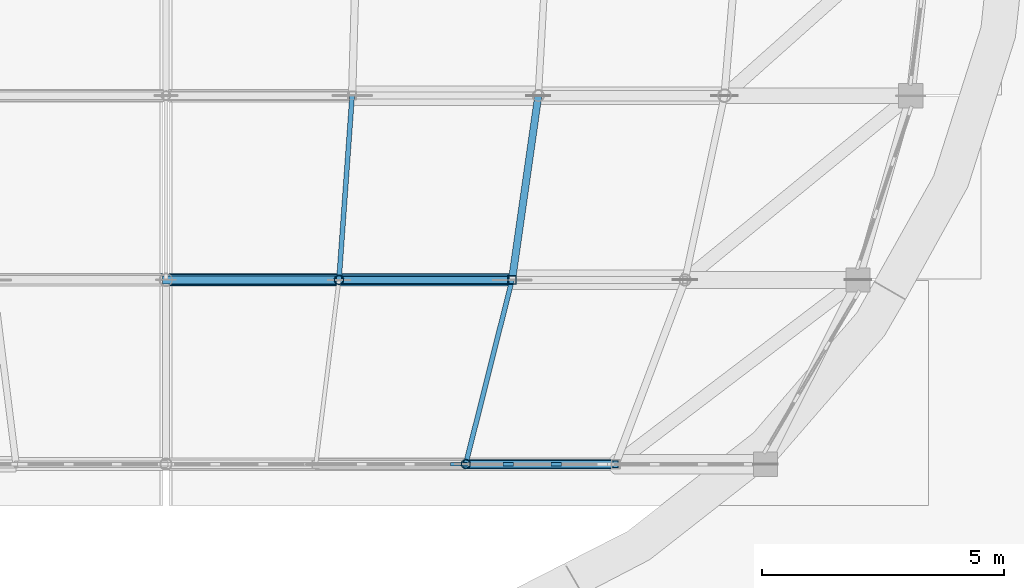
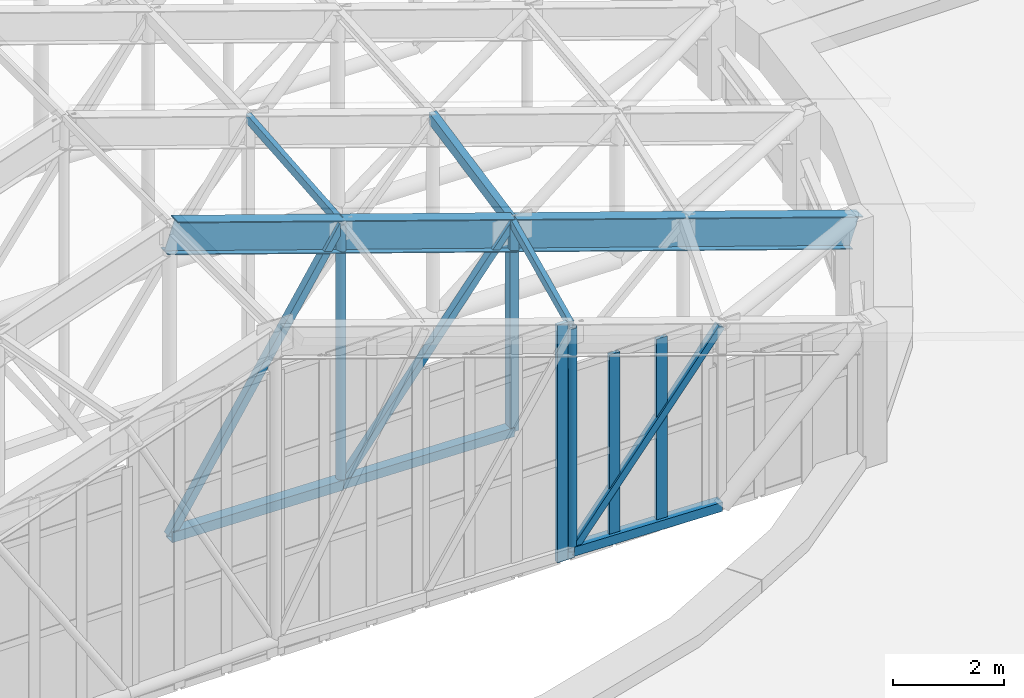
# One storey, part 12 of 105: 16 members, 1 beam, 2 elements without a shape of their own.
"""IFC4 building model written with IfcOpenShell, lengths in metres."""

from ifc_helpers import new_model, si_unit, direction, frame, origin, origin_2d, place, context, subcontext, project, spatial, rectangle, hollow_rectangle, hollow_circle, i_section, extrude, material, material_profile, profile_set, type_object, element, aggregate, save


model = new_model("IFC4")

# Units and contexts
model_context = context("Model", 3, precision=1e-05, world=origin(), true_north=direction((0.0, 1.0)))
body_context = subcontext(model_context, "Body", "Model", "MODEL_VIEW")
ifc_project = project(units=[si_unit("LENGTHUNIT", "METRE"), si_unit("AREAUNIT", "SQUARE_METRE"), si_unit("VOLUMEUNIT", "CUBIC_METRE"), si_unit("PLANEANGLEUNIT", "RADIAN"), si_unit("MASSUNIT", "GRAM", prefix="KILO")], contexts=[model_context])

# Site, building, storey
site_placement = place(None, origin())
site = spatial("IfcSite", under=ifc_project, at=site_placement, CompositionType="ELEMENT")
building_placement = place(site_placement, origin())
building = spatial("IfcBuilding", under=site, at=building_placement, Name="Corveleigh Park Community Centre", CompositionType="ELEMENT")
storey_placement = place(building_placement, frame((0.0, 0.0, 8.699951171875)))
storey = spatial("IfcBuildingStorey", under=building, at=storey_placement, Name="L02", CompositionType="ELEMENT", Elevation=8.699951171875)

# Beam
ifc_material_1 = material(Name="Steel S355", Category="steel")
ifc_material_profile_1 = material_profile(ifc_material_1, i_section(OverallWidth=0.253662109375, OverallDepth=0.68359375, WebThickness=0.012451171875, FlangeThickness=0.01904296875, at=origin_2d()), Name="UKB 686x254x140", Category="steel")
ifc_profile_set_1 = profile_set([ifc_material_profile_1], Name="Steel S355")
beam_type = type_object("IfcBeamType", Name="BM-STL-UKB686x140", PredefinedType="BEAM", material=ifc_profile_set_1)
beam_placement = place(storey_placement, frame((31.0, 19.199951171875, 6.951416015625), z_axis=(0.94629721214, 0.0, -0.323297983748), x_axis=(0.0, 1.0, 0.0)))
element("IfcBeam", 1, at=beam_placement, inside=storey, type_object=beam_type, Name="V1 Portal Rafter E2", PredefinedType="BEAM", context=body_context, shape_type="SweptSolid", body=[
    extrude(i_section(OverallWidth=0.253662109375, OverallDepth=0.68359375, WebThickness=0.012451171875, FlangeThickness=0.01904296875, at=origin_2d()), origin(), (0.0, 0.0, 1.0), 15.0849609375),
])

# Curtain wall, member
ifc_material_2 = material(Name="Anodised aluminium 6063-T6", Category="aluminium")
curtain_wall_type = type_object("IfcCurtainWallType", Name="CW-SYS-V1-DRUM", PredefinedType="NOTDEFINED", material=ifc_material_2)
curtain_wall_1_placement = place(storey_placement, origin())
curtain_wall_1 = element("IfcCurtainWall", 2, at=curtain_wall_1_placement, inside=storey, type_object=curtain_wall_type, Name="Main Hall S Gable Clerestory 6", PredefinedType="NOTDEFINED")
ifc_material_profile_2 = material_profile(ifc_material_2, rectangle(XDim=0.074951171875, YDim=0.219970703125, at=origin_2d()), Name="ALU-M75x220", Category="aluminium")
ifc_profile_set_2 = profile_set([ifc_material_profile_2], Name="Anodised aluminium 6063-T6")
member_type_1 = type_object("IfcMemberType", Name="CWM-75x220", PredefinedType="MULLION", material=ifc_profile_set_2)
member_1_placement = place(storey_placement, frame((36.9755859375, 15.39990234375, 0.0), z_axis=(0.0, 0.0, 1.0), x_axis=(0.0, 1.0, 0.0)))
member_1 = element("IfcMember", 3, at=member_1_placement, type_object=member_type_1, Name="CW02 mullion 4", PredefinedType="MULLION", context=body_context, shape_type="SweptSolid", body=[
    extrude(rectangle(XDim=0.074951171875, YDim=0.219970703125, at=origin_2d()), origin(), (0.0, 0.0, 1.0), 5.236083984375),
])
aggregate(curtain_wall_1, [member_1])

# Curtain wall, members
curtain_wall_2_placement = place(storey_placement, origin())
curtain_wall_2 = element("IfcCurtainWall", 4, at=curtain_wall_2_placement, inside=storey, type_object=curtain_wall_type, Name="Main Hall S Gable Clerestory 7", PredefinedType="NOTDEFINED")
member_2_placement = place(storey_placement, frame((37.110595703125, 15.39990234375, 0.0), z_axis=(0.0, 0.0, 1.0), x_axis=(0.0, 1.0, 0.0)))
member_2 = element("IfcMember", 5, at=member_2_placement, type_object=member_type_1, Name="CW02 mullion 1", PredefinedType="MULLION", context=body_context, shape_type="SweptSolid", body=[
    extrude(rectangle(XDim=0.074951171875, YDim=0.219970703125, at=origin_2d()), origin(), (0.0, 0.0, 1.0), 4.203125),
])
member_3_placement = place(storey_placement, frame((38.06005859375, 15.39990234375, 0.0), z_axis=(0.0, 0.0, 1.0), x_axis=(0.0, 1.0, 0.0)))
member_3 = element("IfcMember", 6, at=member_3_placement, type_object=member_type_1, Name="CW02 mullion 2", PredefinedType="MULLION", context=body_context, shape_type="SweptSolid", body=[
    extrude(rectangle(XDim=0.074951171875, YDim=0.219970703125, at=origin_2d()), origin(), (0.0, 0.0, 1.0), 4.203125),
])
member_4_placement = place(storey_placement, frame((39.047119140625, 15.39990234375, 0.0), z_axis=(0.0, 0.0, 1.0), x_axis=(0.0, 1.0, 0.0)))
member_4 = element("IfcMember", 7, at=member_4_placement, type_object=member_type_1, Name="CW02 mullion 3", PredefinedType="MULLION", context=body_context, shape_type="SweptSolid", body=[
    extrude(rectangle(XDim=0.074951171875, YDim=0.219970703125, at=origin_2d()), origin(), (0.0, 0.0, 1.0), 4.203125),
])
aggregate(curtain_wall_2, [member_2, member_3, member_4])

# Members
ifc_material_profile_3 = material_profile(ifc_material_1, hollow_rectangle(XDim=0.14990234375, YDim=0.14990234375, WallThickness=0.008056640625, at=origin_2d()), Name="SHS 150x150x8.0", Category="steel")
ifc_profile_set_3 = profile_set([ifc_material_profile_3], Name="Steel S355")
member_type_2 = type_object("IfcMemberType", Name="MEM-BRC-SHS150", PredefinedType="BRACE", material=ifc_profile_set_3)
member_5_placement = place(storey_placement, frame((40.27490234375, 15.39990234375, 4.031005859375), z_axis=(-0.625562119543, 0.0, -0.78017436166), x_axis=(0.0, -1.0, 0.0)))
element("IfcMember", 8, at=member_5_placement, inside=storey, type_object=member_type_2, Name="V1 Truss T1 Web Diagonal", PredefinedType="BRACE", context=body_context, shape_type="SweptSolid", body=[
    extrude(hollow_rectangle(XDim=0.14990234375, YDim=0.14990234375, WallThickness=0.008056640625, at=origin_2d()), origin(), (0.0, 0.0, 1.0), 4.9423828125),
])
member_6_placement = place(storey_placement, frame((38.137939453125, 19.199951171875, 4.76123046875), z_axis=(-0.621444203962, 0.0, -0.783458423506), x_axis=(0.0, -1.0, 0.0)))
element("IfcMember", 9, at=member_6_placement, inside=storey, type_object=member_type_2, Name="V1 Truss T2 Web Diagonal", PredefinedType="BRACE", context=body_context, shape_type="SweptSolid", body=[
    extrude(hollow_rectangle(XDim=0.14990234375, YDim=0.14990234375, WallThickness=0.008056640625, at=origin_2d()), origin(), (0.0, 0.0, 1.0), 5.742919921875),
])
ifc_material_profile_4 = material_profile(ifc_material_1, hollow_rectangle(XDim=0.159912109375, YDim=0.159912109375, WallThickness=0.010009765625, at=origin_2d()), Name="SHS 160x160x10.0", Category="steel")
ifc_profile_set_4 = profile_set([ifc_material_profile_4], Name="Steel S355")
member_type_3 = type_object("IfcMemberType", Name="MEM-BRC-SHS160", PredefinedType="BRACE", material=ifc_profile_set_4)
member_7_placement = place(storey_placement, frame((34.569091796875, 19.199951171875, 5.980712890625), z_axis=(-0.535377021917, 0.0, -0.844613192179), x_axis=(0.0, -1.0, 0.0)))
element("IfcMember", 10, at=member_7_placement, inside=storey, type_object=member_type_3, Name="V1 Truss T2 Web Diagonal", PredefinedType="BRACE", context=body_context, shape_type="SweptSolid", body=[
    extrude(hollow_rectangle(XDim=0.159912109375, YDim=0.159912109375, WallThickness=0.010009765625, at=origin_2d()), origin(), (0.0, 0.0, 1.0), 6.66650390625),
])
ifc_material_profile_5 = material_profile(ifc_material_1, hollow_rectangle(XDim=0.199951171875, YDim=0.199951171875, WallThickness=0.010009765625, at=origin_2d()), Name="SHS 200x200x10.0", Category="steel")
ifc_profile_set_5 = profile_set([ifc_material_profile_5], Name="Steel S355")
member_type_4 = type_object("IfcMemberType", Name="MEM-CHD-SHS200", PredefinedType="CHORD", material=ifc_profile_set_5)
member_8_placement = place(storey_placement, frame((37.18310546875, 15.39990234375, 0.175048828125), z_axis=(0.999596196494, 0.0, -0.028415558334), x_axis=(0.0, 1.0, 0.0)))
element("IfcMember", 11, at=member_8_placement, inside=storey, type_object=member_type_4, Name="V1 Truss T1 Bottom Chord", PredefinedType="CHORD", context=body_context, shape_type="SweptSolid", body=[
    extrude(hollow_rectangle(XDim=0.199951171875, YDim=0.199951171875, WallThickness=0.010009765625, at=origin_2d()), origin(), (0.0, 0.0, 1.0), 3.093017578125),
])
member_9_placement = place(storey_placement, frame((34.569091796875, 19.199951171875, 0.261962890625), z_axis=(0.99970358447, 0.0, -0.024346317969), x_axis=(0.0, 1.0, 0.0)))
element("IfcMember", 12, at=member_9_placement, inside=storey, type_object=member_type_4, Name="V1 Truss T2 Bottom Chord", PredefinedType="CHORD", context=body_context, shape_type="SweptSolid", body=[
    extrude(hollow_rectangle(XDim=0.199951171875, YDim=0.199951171875, WallThickness=0.010009765625, at=origin_2d()), origin(), (0.0, 0.0, 1.0), 3.56982421875),
])
ifc_material_profile_6 = material_profile(ifc_material_1, hollow_rectangle(XDim=0.219970703125, YDim=0.219970703125, WallThickness=0.012451171875, at=origin_2d()), Name="SHS 220x220x12.5", Category="steel")
ifc_profile_set_6 = profile_set([ifc_material_profile_6], Name="Steel S355")
member_type_5 = type_object("IfcMemberType", Name="MEM-CHD-SHS220", PredefinedType="CHORD", material=ifc_profile_set_6)
member_10_placement = place(storey_placement, frame((31.0, 19.199951171875, 0.35009765625), z_axis=(0.999695245231, 0.0, -0.02468636593), x_axis=(0.0, 1.0, 0.0)))
element("IfcMember", 13, at=member_10_placement, inside=storey, type_object=member_type_5, Name="V1 Truss T2 Bottom Chord", PredefinedType="CHORD", context=body_context, shape_type="SweptSolid", body=[
    extrude(hollow_rectangle(XDim=0.219970703125, YDim=0.219970703125, WallThickness=0.012451171875, at=origin_2d()), origin(), (0.0, 0.0, 1.0), 3.570068359375),
])
ifc_material_profile_7 = material_profile(ifc_material_1, hollow_rectangle(XDim=0.10009765625, YDim=0.199951171875, WallThickness=0.008056640625, at=origin_2d()), Name="RHS 200x100x8.0", Category="steel")
ifc_profile_set_7 = profile_set([ifc_material_profile_7], Name="Steel S355")
member_type_6 = type_object("IfcMemberType", Name="MEM-PRL-RHS200", PredefinedType="PURLIN", material=ifc_profile_set_7)
member_11_placement = place(storey_placement, frame((37.18310546875, 15.39990234375, 5.090576171875), z_axis=(0.242852409413, 0.966504155588, -0.083020626792), x_axis=(-0.969852251384, 0.243693681668, 0.0)))
element("IfcMember", 14, at=member_11_placement, inside=storey, type_object=member_type_6, Name="V1 Pitched Roof Purlin", PredefinedType="PURLIN", context=body_context, shape_type="SweptSolid", body=[
    extrude(hollow_rectangle(XDim=0.10009765625, YDim=0.199951171875, WallThickness=0.008056640625, at=origin_2d()), origin(), (0.0, 0.0, 1.0), 3.931640625),
])
member_12_placement = place(storey_placement, frame((34.569091796875, 19.199951171875, 5.983642578125), z_axis=(0.071112223379, 0.997172753957, -0.024280660055), x_axis=(-0.997466825815, 0.071133194774, 0.0)))
element("IfcMember", 15, at=member_12_placement, inside=storey, type_object=member_type_6, Name="V1 Pitched Roof Purlin", PredefinedType="PURLIN", context=body_context, shape_type="SweptSolid", body=[
    extrude(hollow_rectangle(XDim=0.10009765625, YDim=0.199951171875, WallThickness=0.008056640625, at=origin_2d()), origin(), (0.0, 0.0, 1.0), 3.810791015625),
])
ifc_material_profile_8 = material_profile(ifc_material_1, hollow_rectangle(XDim=0.14990234375, YDim=0.25, WallThickness=0.010009765625, at=origin_2d()), Name="RHS 250x150x10.0", Category="steel")
ifc_profile_set_8 = profile_set([ifc_material_profile_8], Name="Steel S355")
member_type_7 = type_object("IfcMemberType", Name="MEM-PRL-RHS250", PredefinedType="PURLIN", material=ifc_profile_set_8)
member_13_placement = place(storey_placement, frame((38.137939453125, 19.199951171875, 4.7392578125), z_axis=(0.14103450094, 0.988829732944, -0.048218552349), x_axis=(-0.98998127015, 0.141198742032, 0.0)))
element("IfcMember", 16, at=member_13_placement, inside=storey, type_object=member_type_7, Name="V1 Pitched Roof Purlin", PredefinedType="PURLIN", context=body_context, shape_type="SweptSolid", body=[
    extrude(hollow_rectangle(XDim=0.14990234375, YDim=0.25, WallThickness=0.010009765625, at=origin_2d()), origin(), (0.0, 0.0, 1.0), 3.843017578125),
])
ifc_material_profile_9 = material_profile(ifc_material_1, hollow_circle(Radius=0.096923828125, WallThickness=0.010009765625, at=origin_2d()), Name="CHS 193.7x10.0", Category="steel")
ifc_profile_set_9 = profile_set([ifc_material_profile_9], Name="Steel S355")
member_type_8 = type_object("IfcMemberType", Name="MEM-STR-CHS194I", PredefinedType="STRUT", material=ifc_profile_set_9)
member_14_placement = place(storey_placement, frame((37.18310546875, 15.39990234375, 0.175048828125), z_axis=(0.0, 0.0, 1.0), x_axis=(1.0, 0.0, 0.0)))
element("IfcMember", 17, at=member_14_placement, inside=storey, type_object=member_type_8, Name="V1 Truss T1 Web Post", PredefinedType="STRUT", context=body_context, shape_type="SweptSolid", body=[
    extrude(hollow_circle(Radius=0.096923828125, WallThickness=0.010009765625, at=origin_2d()), origin(), (0.0, 0.0, 1.0), 4.91259765625),
])
member_15_placement = place(storey_placement, frame((34.569091796875, 19.199951171875, 0.261962890625), z_axis=(0.0, 0.0, 1.0), x_axis=(1.0, 0.0, 0.0)))
element("IfcMember", 18, at=member_15_placement, inside=storey, type_object=member_type_8, Name="V1 Truss T2 Web Post", PredefinedType="STRUT", context=body_context, shape_type="SweptSolid", body=[
    extrude(hollow_circle(Radius=0.096923828125, WallThickness=0.010009765625, at=origin_2d()), origin(), (0.0, 0.0, 1.0), 5.71875),
])
ifc_material_profile_10 = material_profile(ifc_material_1, hollow_rectangle(XDim=0.179931640625, YDim=0.179931640625, WallThickness=0.010009765625, at=origin_2d()), Name="SHS 180x180x10.0", Category="steel")
ifc_profile_set_10 = profile_set([ifc_material_profile_10], Name="Steel S355")
member_type_9 = type_object("IfcMemberType", Name="MEM-STR-SHS180I", PredefinedType="STRUT", material=ifc_profile_set_10)
member_16_placement = place(storey_placement, frame((38.137939453125, 19.199951171875, 0.175048828125), z_axis=(0.0, 0.0, 1.0), x_axis=(1.0, 0.0, 0.0)))
element("IfcMember", 19, at=member_16_placement, inside=storey, type_object=member_type_9, Name="V1 Truss T2 Web Post", PredefinedType="STRUT", context=body_context, shape_type="SweptSolid", body=[
    extrude(hollow_rectangle(XDim=0.179931640625, YDim=0.179931640625, WallThickness=0.010009765625, at=origin_2d()), origin(), (0.0, 0.0, 1.0), 4.586181640625),
])

save(model, "model.ifc")
